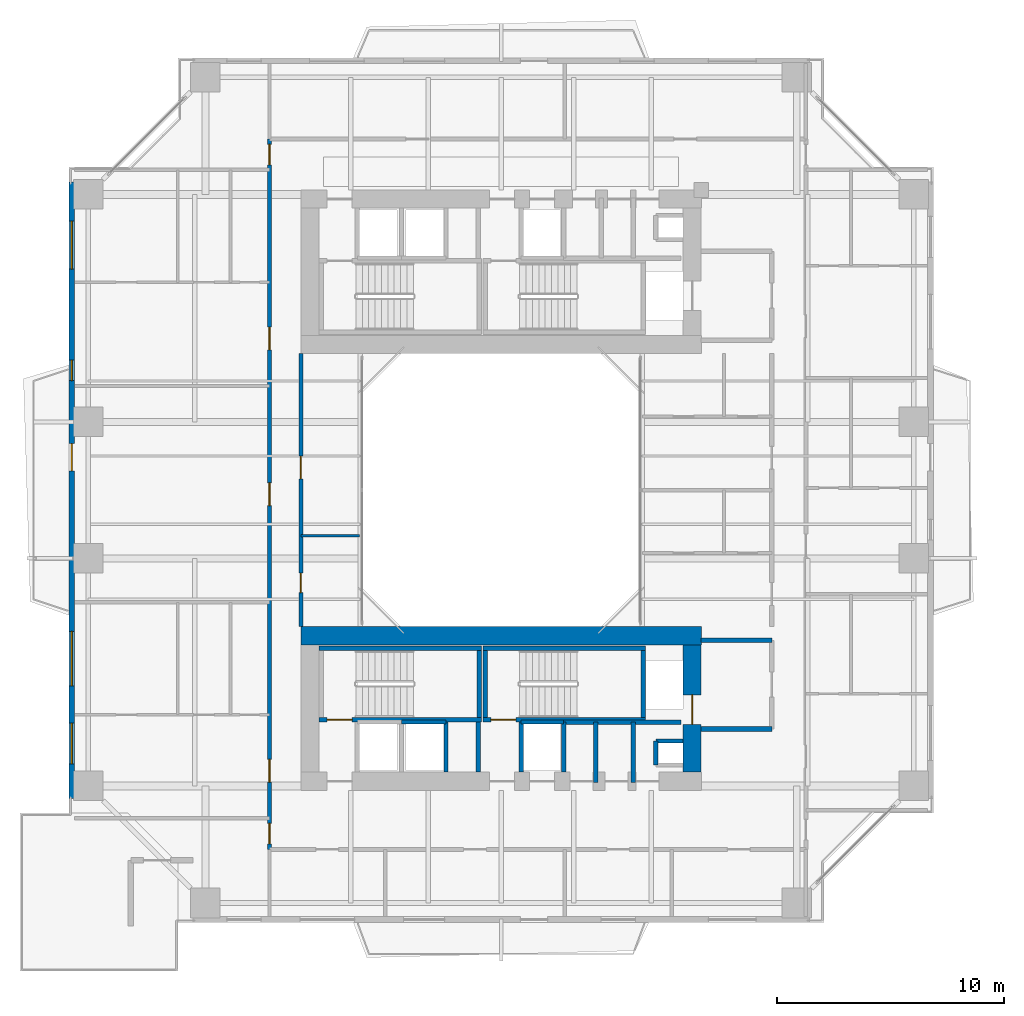
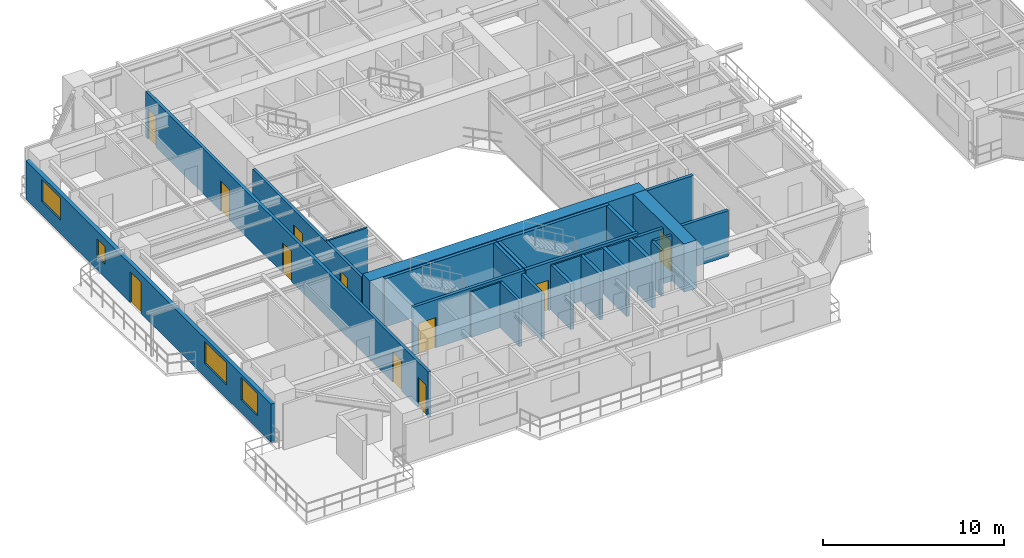
# One storey, part 12 of 22: 26 walls, 11 doors, 4 windows, 15 openings.
"""IFC4 building model written with IfcOpenShell, lengths in metres."""

from ifc_helpers import new_model, si_unit, direction, frame, frame_2d, origin, place, context, subcontext, project, spatial, rectangle, extrude, source, transform, mapped, material, layer, layer_set, type_object, element, fill, save


model = new_model("IFC4")

# Units and contexts
model_context = context("Model", 3, precision=1e-05, world=origin(), true_north=direction((0.0, 1.0)))
body_context = subcontext(model_context, "Body", "Model", "MODEL_VIEW")
ifc_project = project(units=[si_unit("LENGTHUNIT", "METRE"), si_unit("AREAUNIT", "SQUARE_METRE"), si_unit("VOLUMEUNIT", "CUBIC_METRE"), si_unit("PLANEANGLEUNIT", "RADIAN"), si_unit("MASSUNIT", "GRAM", prefix="KILO"), si_unit("THERMODYNAMICTEMPERATUREUNIT", "KELVIN"), si_unit("POWERUNIT", "WATT")], contexts=[model_context])

# Site, building, storey
site_placement = place(None, origin())
site = spatial("IfcSite", under=ifc_project, at=site_placement, CompositionType="ELEMENT")
building_placement = place(site_placement, origin())
building = spatial("IfcBuilding", under=site, at=building_placement, Name="Qiaomeng Ring Towers", CompositionType="ELEMENT")
storey_placement = place(building_placement, frame((0.0, 0.0, 53.5)))
storey = spatial("IfcBuildingStorey", under=building, at=storey_placement, Name="L14", CompositionType="ELEMENT", Elevation=53.5)

# Wall, openings, windows, door
ifc_material_1 = material(Name="Precast concrete C40", Category="concrete")
ifc_layer_1 = layer(ifc_material_1, 0.25, Name="Precast concrete C40")
ifc_layer_set_1 = layer_set([ifc_layer_1], Name="Precast concrete C40")
wall_type_1 = type_object("IfcWallType", Name="ARC-WL-EW1", PredefinedType="STANDARD", material=ifc_layer_set_1)
wall_1_placement = place(storey_placement, frame((0.125, 9.449951171875, 0.0), z_axis=(0.0, 0.0, 1.0), x_axis=(0.0, 1.0, 0.0)))
wall_1 = element("IfcWall", 1, at=wall_1_placement, inside=storey, type_object=wall_type_1, Name="L14 Tower 1 W Exterior Wall", PredefinedType="STANDARD", context=body_context, shape_type="SweptSolid", body=[
    extrude(rectangle(XDim=27.10009765625, YDim=0.25, at=frame_2d((13.550048828125, 0.0))), origin(), (0.0, 0.0, 1.0), 2.610107421875),
])
opening_1_placement = place(wall_1_placement, frame((14.39990234375, 0.0, 0.0)))
opening_1 = element("IfcOpeningElement", 2, at=opening_1_placement, cuts=wall_1, Name="Opening BD1", PredefinedType="OPENING", context=body_context, shape_type="SweptSolid", body=[
    extrude(rectangle(XDim=1.199951171875, YDim=2.10009765625, at=frame_2d((0.60009765625, 1.050048828125))), frame((0.0, 0.135009765625, 0.0), z_axis=(0.0, -1.0, 0.0), x_axis=(1.0, 0.0, 0.0)), (0.0, 0.0, 1.0), 0.27001953125),
])
opening_2_placement = place(wall_1_placement, frame((1.512451171875, 0.0, 0.89990234375)))
opening_2 = element("IfcOpeningElement", 3, at=opening_2_placement, cuts=wall_1, Name="Opening WN1", PredefinedType="OPENING", context=body_context, shape_type="SweptSolid", body=[
    extrude(rectangle(XDim=1.800048828125, YDim=1.5, at=frame_2d((0.89990234375, 0.75))), frame((0.0, 0.135009765625, 0.0), z_axis=(0.0, -1.0, 0.0), x_axis=(1.0, 0.0, 0.0)), (0.0, 0.0, 1.0), 0.27001953125),
])
opening_3_placement = place(wall_1_placement, frame((23.2724609375, 0.0, 0.89990234375)))
opening_3 = element("IfcOpeningElement", 4, at=opening_3_placement, cuts=wall_1, Name="Opening WN4", PredefinedType="OPENING", context=body_context, shape_type="SweptSolid", body=[
    extrude(rectangle(XDim=2.10009765625, YDim=1.5, at=frame_2d((1.050048828125, 0.75))), frame((0.0, 0.135009765625, 0.0), z_axis=(0.0, -1.0, 0.0), x_axis=(1.0, 0.0, 0.0)), (0.0, 0.0, 1.0), 0.27001953125),
])
opening_4_placement = place(wall_1_placement, frame((4.9423828125, 0.0, 0.89990234375)))
opening_4 = element("IfcOpeningElement", 5, at=opening_4_placement, cuts=wall_1, Name="Opening WN6", PredefinedType="OPENING", context=body_context, shape_type="SweptSolid", body=[
    extrude(rectangle(XDim=2.39990234375, YDim=1.5, at=frame_2d((1.199951171875, 0.75))), frame((0.0, 0.135009765625, 0.0), z_axis=(0.0, -1.0, 0.0), x_axis=(1.0, 0.0, 0.0)), (0.0, 0.0, 1.0), 0.27001953125),
])
opening_5_placement = place(wall_1_placement, frame((18.364990234375, 0.0, 0.89990234375)))
opening_5 = element("IfcOpeningElement", 6, at=opening_5_placement, cuts=wall_1, Name="Opening WN5", PredefinedType="OPENING", context=body_context, shape_type="SweptSolid", body=[
    extrude(rectangle(XDim=0.89990234375, YDim=1.199951171875, at=frame_2d((0.449951171875, 0.60009765625))), frame((0.0, 0.135009765625, 0.0), z_axis=(0.0, -1.0, 0.0), x_axis=(1.0, 0.0, 0.0)), (0.0, 0.0, 1.0), 0.27001953125),
])
ifc_material_2 = material(Name="Low-E dark-grey laminated double glazing", Category="glass")
window_type_1 = type_object("IfcWindowType", Name="ARC-WN-4", PartitioningType="TRIPLE_PANEL_VERTICAL", PredefinedType="WINDOW", material=ifc_material_2)
shared_shape_1 = source(origin(), body_context, "Body", "SweptSolid", [
    extrude(rectangle(XDim=2.10009765625, YDim=1.5, at=frame_2d((1.050048828125, 0.75))), frame((0.0, 0.030029296875, 0.0), z_axis=(0.0, -1.0, 0.0), x_axis=(1.0, 0.0, 0.0)), (0.0, 0.0, 1.0), 0.06005859375),
])
window_1_placement = place(opening_3_placement, origin())
window_1 = element("IfcWindow", 7, at=window_1_placement, inside=storey, type_object=window_type_1, Name="L14 Exterior Window WN4", OverallHeight=1.5, OverallWidth=2.10009765625, PartitioningType="TRIPLE_PANEL_VERTICAL", PredefinedType="WINDOW", context=body_context, shape_type="MappedRepresentation", body=[
    mapped(shared_shape_1, transform((0.0, 0.0, 0.0), x_axis=(1.0, 0.0, 0.0), y_axis=(0.0, 1.0, 0.0), z_axis=(0.0, 0.0, 1.0), scale=1.0)),
])
fill(opening_3, window_1)
door_type_1 = type_object("IfcDoorType", Name="ARC-DR-BD1", OperationType="NOTDEFINED", PredefinedType="DOOR", material=ifc_material_2)
shared_shape_2 = source(origin(), body_context, "Body", "SweptSolid", [
    extrude(rectangle(XDim=1.199951171875, YDim=2.10009765625, at=frame_2d((0.60009765625, 1.050048828125))), frame((0.0, 0.02490234375, 0.0), z_axis=(0.0, -1.0, 0.0), x_axis=(1.0, 0.0, 0.0)), (0.0, 0.0, 1.0), 0.050048828125),
])
door_1_placement = place(opening_1_placement, frame((1.199951171875, 0.0, 0.0), z_axis=(0.0, 0.0, 1.0), x_axis=(-1.0, 0.0, 0.0)))
door_1 = element("IfcDoor", 8, at=door_1_placement, inside=storey, type_object=door_type_1, Name="L14 W Balcony Glazed Door", OperationType="SINGLE_SWING_LEFT", OverallHeight=2.10009765625, OverallWidth=1.199951171875, PredefinedType="DOOR", context=body_context, shape_type="MappedRepresentation", body=[
    mapped(shared_shape_2, transform((0.0, 0.0, 0.0), x_axis=(1.0, 0.0, 0.0), y_axis=(0.0, 1.0, 0.0), z_axis=(0.0, 0.0, 1.0), scale=1.0)),
])
fill(opening_1, door_1)
window_type_2 = type_object("IfcWindowType", Name="ARC-WN-6", PartitioningType="TRIPLE_PANEL_VERTICAL", PredefinedType="WINDOW", material=ifc_material_2)
shared_shape_3 = source(origin(), body_context, "Body", "SweptSolid", [
    extrude(rectangle(XDim=2.39990234375, YDim=1.5, at=frame_2d((1.199951171875, 0.75))), frame((0.0, 0.030029296875, 0.0), z_axis=(0.0, -1.0, 0.0), x_axis=(1.0, 0.0, 0.0)), (0.0, 0.0, 1.0), 0.06005859375),
])
window_2_placement = place(opening_4_placement, origin())
window_2 = element("IfcWindow", 9, at=window_2_placement, inside=storey, type_object=window_type_2, Name="L14 Exterior Window WN6", OverallHeight=1.5, OverallWidth=2.39990234375, PartitioningType="TRIPLE_PANEL_VERTICAL", PredefinedType="WINDOW", context=body_context, shape_type="MappedRepresentation", body=[
    mapped(shared_shape_3, transform((0.0, 0.0, 0.0), x_axis=(1.0, 0.0, 0.0), y_axis=(0.0, 1.0, 0.0), z_axis=(0.0, 0.0, 1.0), scale=1.0)),
])
fill(opening_4, window_2)
window_type_3 = type_object("IfcWindowType", Name="ARC-WN-1", PartitioningType="DOUBLE_PANEL_VERTICAL", PredefinedType="WINDOW", material=ifc_material_2)
shared_shape_4 = source(origin(), body_context, "Body", "SweptSolid", [
    extrude(rectangle(XDim=1.800048828125, YDim=1.5, at=frame_2d((0.89990234375, 0.75))), frame((0.0, 0.030029296875, 0.0), z_axis=(0.0, -1.0, 0.0), x_axis=(1.0, 0.0, 0.0)), (0.0, 0.0, 1.0), 0.06005859375),
])
window_3_placement = place(opening_2_placement, origin())
window_3 = element("IfcWindow", 10, at=window_3_placement, inside=storey, type_object=window_type_3, Name="L14 Exterior Window WN6", OverallHeight=1.5, OverallWidth=1.800048828125, PartitioningType="TRIPLE_PANEL_VERTICAL", PredefinedType="WINDOW", context=body_context, shape_type="MappedRepresentation", body=[
    mapped(shared_shape_4, transform((0.0, 0.0, 0.0), x_axis=(1.0, 0.0, 0.0), y_axis=(0.0, 1.0, 0.0), z_axis=(0.0, 0.0, 1.0), scale=1.0)),
])
fill(opening_2, window_3)
window_type_4 = type_object("IfcWindowType", Name="ARC-WN-5", PartitioningType="SINGLE_PANEL", PredefinedType="WINDOW", material=ifc_material_2)
shared_shape_5 = source(origin(), body_context, "Body", "SweptSolid", [
    extrude(rectangle(XDim=0.89990234375, YDim=1.199951171875, at=frame_2d((0.449951171875, 0.60009765625))), frame((0.0, 0.030029296875, 0.0), z_axis=(0.0, -1.0, 0.0), x_axis=(1.0, 0.0, 0.0)), (0.0, 0.0, 1.0), 0.06005859375),
])
window_4_placement = place(opening_5_placement, origin())
window_4 = element("IfcWindow", 11, at=window_4_placement, inside=storey, type_object=window_type_4, Name="L14 Exterior Window WN5", OverallHeight=1.199951171875, OverallWidth=0.89990234375, PartitioningType="SINGLE_PANEL", PredefinedType="WINDOW", context=body_context, shape_type="MappedRepresentation", body=[
    mapped(shared_shape_5, transform((0.0, 0.0, 0.0), x_axis=(1.0, 0.0, 0.0), y_axis=(0.0, 1.0, 0.0), z_axis=(0.0, 0.0, 1.0), scale=1.0)),
])
fill(opening_5, window_4)

# Walls
ifc_material_3 = material(Name="Autoclaved aerated concrete block", Category="concrete")
ifc_layer_2 = layer(ifc_material_3, 0.199951171875, Name="Autoclaved aerated concrete block")
ifc_layer_set_2 = layer_set([ifc_layer_2], Name="Autoclaved aerated concrete block")
wall_type_2 = type_object("IfcWallType", Name="ARC-WL-PW1", PredefinedType="PARTITIONING", material=ifc_layer_set_2)
for number, where, z_axis, x_axis, name in (
    (12, (27.800048828125, 16.39990234375, 0.0), (0.0, 0.0, 1.0), (1.0, 0.0, 0.0), "L14 Interior Wall PW1"),
    (13, (27.800048828125, 12.5, 0.0), (0.0, 0.0, 1.0), (1.0, 0.0, 0.0), "L14 Interior Wall PW1"),
):
    element("IfcWall", number, at=place(storey_placement, frame(where, z_axis=z_axis, x_axis=x_axis)), inside=storey, type_object=wall_type_2, Name=name, PredefinedType="PARTITIONING", context=body_context, shape_type="SweptSolid", body=[
        extrude(rectangle(XDim=3.099853515625, YDim=0.199951171875, at=frame_2d((1.5498046875, 0.0))), origin(), (0.0, 0.0, 1.0), 3.070068359375),
    ])
for number, where, z_axis, x_axis, name in (
    (14, (18.0, 10.60009765625, 0.0), (0.0, 0.0, 1.0), (0.0, 1.0, 0.0), "L14 Interior Wall PW1"),
    (15, (19.8798828125, 10.60009765625, 0.0), (0.0, 0.0, 1.0), (0.0, 1.0, 0.0), "L14 Interior Wall PW1"),
):
    element("IfcWall", number, at=place(storey_placement, frame(where, z_axis=z_axis, x_axis=x_axis)), inside=storey, type_object=wall_type_2, Name=name, PredefinedType="PARTITIONING", context=body_context, shape_type="SweptSolid", body=[
        extrude(rectangle(XDim=2.2099609375, YDim=0.199951171875, at=frame_2d((1.10498046875, 0.0))), origin(), (0.0, 0.0, 1.0), 3.070068359375),
    ])
wall_2_placement = place(storey_placement, frame((24.820068359375, 10.14990234375, 0.0), z_axis=(0.0, 0.0, 1.0), x_axis=(0.0, 1.0, 0.0)))
element("IfcWall", 16, at=wall_2_placement, inside=storey, type_object=wall_type_2, Name="L14 Interior Wall PW1", PredefinedType="PARTITIONING", context=body_context, shape_type="SweptSolid", body=[
    extrude(rectangle(XDim=2.650146484375, YDim=0.199951171875, at=frame_2d((1.3251953125, 0.0))), origin(), (0.0, 0.0, 1.0), 3.070068359375),
])
wall_3_placement = place(storey_placement, frame((21.75, 10.60009765625, 0.0), z_axis=(0.0, 0.0, 1.0), x_axis=(0.0, 1.0, 0.0)))
element("IfcWall", 17, at=wall_3_placement, inside=storey, type_object=wall_type_2, Name="L14 Interior Wall PW1", PredefinedType="PARTITIONING", context=body_context, shape_type="SweptSolid", body=[
    extrude(rectangle(XDim=2.199951171875, YDim=0.199951171875, at=frame_2d((1.10009765625, 0.0))), origin(), (0.0, 0.0, 1.0), 3.070068359375),
])
wall_4_placement = place(storey_placement, frame((23.169921875, 10.14990234375, 0.0), z_axis=(0.0, 0.0, 1.0), x_axis=(0.0, 1.0, 0.0)))
element("IfcWall", 18, at=wall_4_placement, inside=storey, type_object=wall_type_2, Name="L14 Interior Wall PW1", PredefinedType="PARTITIONING", context=body_context, shape_type="SweptSolid", body=[
    extrude(rectangle(XDim=2.650146484375, YDim=0.199951171875, at=frame_2d((1.3251953125, 0.0))), origin(), (0.0, 0.0, 1.0), 3.070068359375),
])
wall_5_placement = place(storey_placement, frame((21.75, 12.800048828125, 0.0), z_axis=(0.0, 0.0, 1.0), x_axis=(1.0, 0.0, 0.0)))
element("IfcWall", 19, at=wall_5_placement, inside=storey, type_object=wall_type_2, Name="L14 Interior Wall PW1", PredefinedType="PARTITIONING", context=body_context, shape_type="SweptSolid", body=[
    extrude(rectangle(XDim=5.169921875, YDim=0.199951171875, at=frame_2d((2.5849609375, 0.0))), origin(), (0.0, 0.0, 1.0), 3.070068359375),
])

# Wall, openings, doors
ifc_layer_3 = layer(ifc_material_3, 0.179931640625, Name="Autoclaved aerated concrete block")
ifc_layer_set_3 = layer_set([ifc_layer_3], Name="Autoclaved aerated concrete block")
wall_type_3 = type_object("IfcWallType", Name="ARC-WL-PW2", PredefinedType="PARTITIONING", material=ifc_layer_set_3)
wall_6_placement = place(storey_placement, frame((8.820068359375, 7.2099609375, 0.0), z_axis=(0.0, 0.0, 1.0), x_axis=(0.0, 1.0, 0.0)))
wall_6 = element("IfcWall", 20, at=wall_6_placement, inside=storey, type_object=wall_type_3, Name="L14 Interior Wall PW2", PredefinedType="PARTITIONING", context=body_context, shape_type="SweptSolid", body=[
    extrude(rectangle(XDim=31.22998046875, YDim=0.179931640625, at=frame_2d((15.614990234375, 0.0))), origin(), (0.0, 0.0, 1.0), 3.070068359375),
])
opening_6_placement = place(wall_6_placement, frame((30.090087890625, 0.0, 0.0)))
opening_6 = element("IfcOpeningElement", 21, at=opening_6_placement, cuts=wall_6, Name="Opening ID1", PredefinedType="OPENING", context=body_context, shape_type="SweptSolid", body=[
    extrude(rectangle(XDim=0.89990234375, YDim=2.050048828125, at=frame_2d((0.449951171875, 1.02490234375))), frame((0.0, 0.099853515625, 0.0), z_axis=(0.0, -1.0, 0.0), x_axis=(1.0, 0.0, 0.0)), (0.0, 0.0, 1.0), 0.199951171875),
])
opening_7_placement = place(wall_6_placement, frame((0.239990234375, 0.0, 0.0)))
opening_7 = element("IfcOpeningElement", 22, at=opening_7_placement, cuts=wall_6, Name="Opening ID1", PredefinedType="OPENING", context=body_context, shape_type="SweptSolid", body=[
    extrude(rectangle(XDim=0.89990234375, YDim=2.050048828125, at=frame_2d((0.449951171875, 1.02490234375))), frame((0.0, 0.099853515625, 0.0), z_axis=(0.0, -1.0, 0.0), x_axis=(1.0, 0.0, 0.0)), (0.0, 0.0, 1.0), 0.199951171875),
])
opening_8_placement = place(wall_6_placement, frame((2.949951171875, 0.0, 0.0)))
opening_8 = element("IfcOpeningElement", 23, at=opening_8_placement, cuts=wall_6, Name="Opening FD4", PredefinedType="OPENING", context=body_context, shape_type="SweptSolid", body=[
    extrude(rectangle(XDim=1.0, YDim=2.050048828125, at=frame_2d((0.5, 1.02490234375))), frame((0.0, 0.099853515625, 0.0), z_axis=(0.0, -1.0, 0.0), x_axis=(1.0, 0.0, 0.0)), (0.0, 0.0, 1.0), 0.199951171875),
])
opening_9_placement = place(wall_6_placement, frame((15.114990234375, 0.0, 0.0)))
opening_9 = element("IfcOpeningElement", 24, at=opening_9_placement, cuts=wall_6, Name="Opening FD4", PredefinedType="OPENING", context=body_context, shape_type="SweptSolid", body=[
    extrude(rectangle(XDim=1.0, YDim=2.050048828125, at=frame_2d((0.5, 1.02490234375))), frame((0.0, 0.099853515625, 0.0), z_axis=(0.0, -1.0, 0.0), x_axis=(1.0, 0.0, 0.0)), (0.0, 0.0, 1.0), 0.199951171875),
])
opening_10_placement = place(wall_6_placement, frame((21.9599609375, 0.0, 0.0)))
opening_10 = element("IfcOpeningElement", 25, at=opening_10_placement, cuts=wall_6, Name="Opening FD4", PredefinedType="OPENING", context=body_context, shape_type="SweptSolid", body=[
    extrude(rectangle(XDim=1.0, YDim=2.050048828125, at=frame_2d((0.5, 1.02490234375))), frame((0.0, 0.099853515625, 0.0), z_axis=(0.0, -1.0, 0.0), x_axis=(1.0, 0.0, 0.0)), (0.0, 0.0, 1.0), 0.199951171875),
])
ifc_material_4 = material(Name="Engineered fire-rated oak timber", Category="wood")
door_type_2 = type_object("IfcDoorType", Name="ARC-DR-FD4", OperationType="NOTDEFINED", PredefinedType="DOOR", material=ifc_material_4)
shared_shape_6 = source(origin(), body_context, "Body", "SweptSolid", [
    extrude(rectangle(XDim=1.0, YDim=2.050048828125, at=frame_2d((0.5, 1.02490234375))), frame((0.0, 0.02490234375, 0.0), z_axis=(0.0, -1.0, 0.0), x_axis=(1.0, 0.0, 0.0)), (0.0, 0.0, 1.0), 0.050048828125),
])
door_2_placement = place(opening_8_placement, origin())
door_2 = element("IfcDoor", 26, at=door_2_placement, inside=storey, type_object=door_type_2, Name="L14 Door FD4", OperationType="SINGLE_SWING_RIGHT", OverallHeight=2.050048828125, OverallWidth=1.0, PredefinedType="DOOR", context=body_context, shape_type="MappedRepresentation", body=[
    mapped(shared_shape_6, transform((0.0, 0.0, 0.0), x_axis=(1.0, 0.0, 0.0), y_axis=(0.0, 1.0, 0.0), z_axis=(0.0, 0.0, 1.0), scale=1.0)),
])
fill(opening_8, door_2)
door_3_placement = place(opening_9_placement, origin())
door_3 = element("IfcDoor", 27, at=door_3_placement, inside=storey, type_object=door_type_2, Name="L14 Door FD4", OperationType="SINGLE_SWING_LEFT", OverallHeight=2.050048828125, OverallWidth=1.0, PredefinedType="DOOR", context=body_context, shape_type="MappedRepresentation", body=[
    mapped(shared_shape_6, transform((0.0, 0.0, 0.0), x_axis=(1.0, 0.0, 0.0), y_axis=(0.0, 1.0, 0.0), z_axis=(0.0, 0.0, 1.0), scale=1.0)),
])
fill(opening_9, door_3)
door_4_placement = place(opening_10_placement, origin())
door_4 = element("IfcDoor", 28, at=door_4_placement, inside=storey, type_object=door_type_2, Name="L14 Door FD4", OperationType="SINGLE_SWING_LEFT", OverallHeight=2.050048828125, OverallWidth=1.0, PredefinedType="DOOR", context=body_context, shape_type="MappedRepresentation", body=[
    mapped(shared_shape_6, transform((0.0, 0.0, 0.0), x_axis=(1.0, 0.0, 0.0), y_axis=(0.0, 1.0, 0.0), z_axis=(0.0, 0.0, 1.0), scale=1.0)),
])
fill(opening_10, door_4)
ifc_material_5 = material(Name="Engineered oak timber", Category="wood")
door_type_3 = type_object("IfcDoorType", Name="ARC-DR-ID1", OperationType="NOTDEFINED", PredefinedType="DOOR", material=ifc_material_5)
shared_shape_7 = source(origin(), body_context, "Body", "SweptSolid", [
    extrude(rectangle(XDim=0.89990234375, YDim=2.050048828125, at=frame_2d((0.449951171875, 1.02490234375))), frame((0.0, 0.02490234375, 0.0), z_axis=(0.0, -1.0, 0.0), x_axis=(1.0, 0.0, 0.0)), (0.0, 0.0, 1.0), 0.050048828125),
])
door_5_placement = place(opening_6_placement, origin())
door_5 = element("IfcDoor", 29, at=door_5_placement, inside=storey, type_object=door_type_3, Name="L14 Door ID1", OperationType="SINGLE_SWING_LEFT", OverallHeight=2.050048828125, OverallWidth=0.89990234375, PredefinedType="DOOR", context=body_context, shape_type="MappedRepresentation", body=[
    mapped(shared_shape_7, transform((0.0, 0.0, 0.0), x_axis=(1.0, 0.0, 0.0), y_axis=(0.0, 1.0, 0.0), z_axis=(0.0, 0.0, 1.0), scale=1.0)),
])
fill(opening_6, door_5)
door_6_placement = place(opening_7_placement, origin())
door_6 = element("IfcDoor", 30, at=door_6_placement, inside=storey, type_object=door_type_3, Name="L14 Door ID1", OperationType="SINGLE_SWING_RIGHT", OverallHeight=2.050048828125, OverallWidth=0.89990234375, PredefinedType="DOOR", context=body_context, shape_type="MappedRepresentation", body=[
    mapped(shared_shape_7, transform((0.0, 0.0, 0.0), x_axis=(1.0, 0.0, 0.0), y_axis=(0.0, 1.0, 0.0), z_axis=(0.0, 0.0, 1.0), scale=1.0)),
])
fill(opening_7, door_6)

wall_7_placement = place(storey_placement, frame((10.199951171875, 17.0, 0.0), z_axis=(0.0, 0.0, 1.0), x_axis=(0.0, 1.0, 0.0)))
wall_7 = element("IfcWall", 31, at=wall_7_placement, inside=storey, type_object=wall_type_3, Name="L14 Interior Wall PW2", PredefinedType="PARTITIONING", context=body_context, shape_type="SweptSolid", body=[
    extrude(rectangle(XDim=12.0, YDim=0.179931640625, at=frame_2d((6.0, 0.0))), origin(), (0.0, 0.0, 1.0), 3.070068359375),
])
opening_11_placement = place(wall_7_placement, frame((1.5, 0.0, 0.0)))
opening_11 = element("IfcOpeningElement", 32, at=opening_11_placement, cuts=wall_7, Name="Opening ID2", PredefinedType="OPENING", context=body_context, shape_type="SweptSolid", body=[
    extrude(rectangle(XDim=0.85009765625, YDim=2.050048828125, at=frame_2d((0.425048828125, 1.02490234375))), frame((0.0, 0.099853515625, 0.0), z_axis=(0.0, -1.0, 0.0), x_axis=(1.0, 0.0, 0.0)), (0.0, 0.0, 1.0), 0.199951171875),
])
opening_12_placement = place(wall_7_placement, frame((6.5, 0.0, 0.0)))
opening_12 = element("IfcOpeningElement", 33, at=opening_12_placement, cuts=wall_7, Name="Opening FD4", PredefinedType="OPENING", context=body_context, shape_type="SweptSolid", body=[
    extrude(rectangle(XDim=1.0, YDim=2.050048828125, at=frame_2d((0.5, 1.02490234375))), frame((0.0, 0.099853515625, 0.0), z_axis=(0.0, -1.0, 0.0), x_axis=(1.0, 0.0, 0.0)), (0.0, 0.0, 1.0), 0.199951171875),
])
door_7_placement = place(opening_12_placement, origin())
door_7 = element("IfcDoor", 34, at=door_7_placement, inside=storey, type_object=door_type_2, Name="L14 Door FD4", OperationType="SINGLE_SWING_LEFT", OverallHeight=2.050048828125, OverallWidth=1.0, PredefinedType="DOOR", context=body_context, shape_type="MappedRepresentation", body=[
    mapped(shared_shape_6, transform((0.0, 0.0, 0.0), x_axis=(1.0, 0.0, 0.0), y_axis=(0.0, 1.0, 0.0), z_axis=(0.0, 0.0, 1.0), scale=1.0)),
])
fill(opening_12, door_7)
ifc_material_6 = material(Name="Moisture-resistant engineered timber", Category="wood")
door_type_4 = type_object("IfcDoorType", Name="ARC-DR-ID2", OperationType="NOTDEFINED", PredefinedType="DOOR", material=ifc_material_6)
shared_shape_8 = source(origin(), body_context, "Body", "SweptSolid", [
    extrude(rectangle(XDim=0.85009765625, YDim=2.050048828125, at=frame_2d((0.425048828125, 1.02490234375))), frame((0.0, 0.02490234375, 0.0), z_axis=(0.0, -1.0, 0.0), x_axis=(1.0, 0.0, 0.0)), (0.0, 0.0, 1.0), 0.050048828125),
])
door_8_placement = place(opening_11_placement, origin())
door_8 = element("IfcDoor", 35, at=door_8_placement, inside=storey, type_object=door_type_4, Name="L14 Door ID2", OperationType="SINGLE_SWING_RIGHT", OverallHeight=2.050048828125, OverallWidth=0.85009765625, PredefinedType="DOOR", context=body_context, shape_type="MappedRepresentation", body=[
    mapped(shared_shape_8, transform((0.0, 0.0, 0.0), x_axis=(1.0, 0.0, 0.0), y_axis=(0.0, 1.0, 0.0), z_axis=(0.0, 0.0, 1.0), scale=1.0)),
])
fill(opening_11, door_8)

# Walls
ifc_material_7 = material(Name="Moisture-resistant gypsum steel-stud partition", Category="steel")
ifc_layer_4 = layer(ifc_material_7, 0.1201171875, Name="Moisture-resistant gypsum steel-stud partition")
ifc_layer_set_4 = layer_set([ifc_layer_4], Name="Moisture-resistant gypsum steel-stud partition")
wall_type_4 = type_object("IfcWallType", Name="ARC-WL-PW4", PredefinedType="PLUMBINGWALL", material=ifc_layer_set_4)
wall_8_placement = place(storey_placement, frame((10.199951171875, 21.0, 0.0), z_axis=(0.0, 0.0, 1.0), x_axis=(1.0, 0.0, 0.0)))
element("IfcWall", 36, at=wall_8_placement, inside=storey, type_object=wall_type_4, Name="L14 Interior Wall PW4", PredefinedType="PLUMBINGWALL", context=body_context, shape_type="SweptSolid", body=[
    extrude(rectangle(XDim=2.580078125, YDim=0.1201171875, at=frame_2d((1.2900390625, 0.0))), origin(), (0.0, 0.0, 1.0), 3.070068359375),
])
ifc_material_8 = material(Name="Concrete C40", Category="concrete")
ifc_layer_5 = layer(ifc_material_8, 0.199951171875, Name="Concrete C40")
ifc_layer_set_5 = layer_set([ifc_layer_5], Name="Concrete C40")
wall_type_5 = type_object("IfcWallType", Name="STR-WL-STSHAFT", PredefinedType="SHEAR", material=ifc_layer_set_5)
wall_9_placement = place(storey_placement, frame((25.800048828125, 10.919921875, 0.0), z_axis=(0.0, 0.0, 1.0), x_axis=(0.0, 1.0, 0.0)))
element("IfcWall", 37, at=wall_9_placement, inside=storey, type_object=wall_type_5, Name="L14 Riser RSR1 West Shaft Wall S", PredefinedType="SHEAR", context=body_context, shape_type="SweptSolid", body=[
    extrude(rectangle(XDim=1.06005859375, YDim=0.179931640625, at=frame_2d((0.530029296875, 0.0))), origin(), (0.0, 0.0, 1.0), 3.070068359375),
])
wall_10_placement = place(storey_placement, frame((25.800048828125, 11.97998046875, 0.0), z_axis=(0.0, 0.0, 1.0), x_axis=(1.0, 0.0, 0.0)))
element("IfcWall", 38, at=wall_10_placement, inside=storey, type_object=wall_type_5, Name="L14 Riser RSR1 North Shaft Wall S", PredefinedType="SHEAR", context=body_context, shape_type="SweptSolid", body=[
    extrude(rectangle(XDim=1.199951171875, YDim=0.179931640625, at=frame_2d((0.60009765625, 0.0))), origin(), (0.0, 0.0, 1.0), 3.070068359375),
])
wall_11_placement = place(storey_placement, frame((14.6201171875, 12.800048828125, 0.0), z_axis=(0.0, 0.0, 1.0), x_axis=(1.0, 0.0, 0.0)))
element("IfcWall", 39, at=wall_11_placement, inside=storey, type_object=wall_type_5, Name="L14 Lift LP4 Shaft Back Wall", PredefinedType="SHEAR", context=body_context, shape_type="SweptSolid", body=[
    extrude(rectangle(XDim=1.9599609375, YDim=0.179931640625, at=frame_2d((0.97998046875, 0.0))), origin(), (0.0, 0.0, 1.0), 3.070068359375),
])
wall_12_placement = place(storey_placement, frame((16.580078125, 10.60009765625, 0.0), z_axis=(0.0, 0.0, 1.0), x_axis=(0.0, 1.0, 0.0)))
element("IfcWall", 40, at=wall_12_placement, inside=storey, type_object=wall_type_5, Name="L14 Lift LP4 East Shaft Wall", PredefinedType="SHEAR", context=body_context, shape_type="SweptSolid", body=[
    extrude(rectangle(XDim=2.199951171875, YDim=0.179931640625, at=frame_2d((1.10009765625, 0.0))), origin(), (0.0, 0.0, 1.0), 3.070068359375),
])
wall_13_placement = place(storey_placement, frame((19.8798828125, 12.800048828125, 0.0), z_axis=(0.0, 0.0, 1.0), x_axis=(1.0, 0.0, 0.0)))
element("IfcWall", 41, at=wall_13_placement, inside=storey, type_object=wall_type_5, Name="L14 Lift LP2 Shaft Back Wall", PredefinedType="SHEAR", context=body_context, shape_type="SweptSolid", body=[
    extrude(rectangle(XDim=1.8701171875, YDim=0.179931640625, at=frame_2d((0.93505859375, 0.0))), origin(), (0.0, 0.0, 1.0), 3.070068359375),
])

# Wall, opening, door
wall_14_placement = place(storey_placement, frame((11.0, 12.909912109375, 0.0), z_axis=(0.0, 0.0, 1.0), x_axis=(1.0, 0.0, 0.0)))
wall_14 = element("IfcWall", 42, at=wall_14_placement, inside=storey, type_object=wall_type_5, Name="L14 Stair ST3 South Shaft Shear Wall", PredefinedType="SHEAR", context=body_context, shape_type="SweptSolid", body=[
    extrude(rectangle(XDim=7.14990234375, YDim=0.199951171875, at=frame_2d((3.574951171875, 0.0))), origin(), (0.0, 0.0, 1.0), 3.25),
])
opening_13_placement = place(wall_14_placement, frame((0.35009765625, 0.0, 0.0)))
opening_13 = element("IfcOpeningElement", 43, at=opening_13_placement, cuts=wall_14, Name="Opening FD3", PredefinedType="OPENING", context=body_context, shape_type="SweptSolid", body=[
    extrude(rectangle(XDim=1.10009765625, YDim=2.050048828125, at=frame_2d((0.550048828125, 1.02490234375))), frame((0.0, 0.10986328125, 0.0), z_axis=(0.0, -1.0, 0.0), x_axis=(1.0, 0.0, 0.0)), (0.0, 0.0, 1.0), 0.219970703125),
])
ifc_material_9 = material(Name="Galvanised steel", Category="steel")
door_type_5 = type_object("IfcDoorType", Name="ARC-DR-FD3", OperationType="NOTDEFINED", PredefinedType="DOOR", material=ifc_material_9)
shared_shape_9 = source(origin(), body_context, "Body", "SweptSolid", [
    extrude(rectangle(XDim=1.10009765625, YDim=2.050048828125, at=frame_2d((0.550048828125, 1.02490234375))), frame((0.0, 0.02490234375, 0.0), z_axis=(0.0, -1.0, 0.0), x_axis=(1.0, 0.0, 0.0)), (0.0, 0.0, 1.0), 0.050048828125),
])
door_9_placement = place(opening_13_placement, frame((1.10009765625, 0.0, 0.0), z_axis=(0.0, 0.0, 1.0), x_axis=(-1.0, 0.0, 0.0)))
door_9 = element("IfcDoor", 44, at=door_9_placement, inside=storey, type_object=door_type_5, Name="L14 Stair ST3 Exit Door", OperationType="SINGLE_SWING_RIGHT", OverallHeight=2.050048828125, OverallWidth=1.10009765625, PredefinedType="DOOR", context=body_context, shape_type="MappedRepresentation", body=[
    mapped(shared_shape_9, transform((0.0, 0.0, 0.0), x_axis=(1.0, 0.0, 0.0), y_axis=(0.0, 1.0, 0.0), z_axis=(0.0, 0.0, 1.0), scale=1.0)),
])
fill(opening_13, door_9)

# Walls
wall_15_placement = place(storey_placement, frame((11.0, 16.050048828125, 0.0), z_axis=(0.0, 0.0, 1.0), x_axis=(1.0, 0.0, 0.0)))
element("IfcWall", 45, at=wall_15_placement, inside=storey, type_object=wall_type_5, Name="L14 Stair ST3 North Shaft Shear Wall", PredefinedType="SHEAR", context=body_context, shape_type="SweptSolid", body=[
    extrude(rectangle(XDim=7.14990234375, YDim=0.199951171875, at=frame_2d((3.574951171875, 0.0))), origin(), (0.0, 0.0, 1.0), 3.25),
])
wall_16_placement = place(storey_placement, frame((18.050048828125, 13.010009765625, 0.0), z_axis=(0.0, 0.0, 1.0), x_axis=(0.0, 1.0, 0.0)))
element("IfcWall", 46, at=wall_16_placement, inside=storey, type_object=wall_type_5, Name="L14 Stair ST3 East Shaft Shear Wall", PredefinedType="SHEAR", context=body_context, shape_type="SweptSolid", body=[
    extrude(rectangle(XDim=2.93994140625, YDim=0.199951171875, at=frame_2d((1.469970703125, 0.0))), origin(), (0.0, 0.0, 1.0), 3.25),
])

# Wall, opening, door
wall_17_placement = place(storey_placement, frame((18.199951171875, 12.909912109375, 0.0), z_axis=(0.0, 0.0, 1.0), x_axis=(1.0, 0.0, 0.0)))
wall_17 = element("IfcWall", 47, at=wall_17_placement, inside=storey, type_object=wall_type_5, Name="L14 Stair ST4 South Shaft Shear Wall", PredefinedType="SHEAR", context=body_context, shape_type="SweptSolid", body=[
    extrude(rectangle(XDim=7.150146484375, YDim=0.199951171875, at=frame_2d((3.5751953125, 0.0))), origin(), (0.0, 0.0, 1.0), 3.25),
])
opening_14_placement = place(wall_17_placement, frame((0.35009765625, 0.0, 0.0)))
opening_14 = element("IfcOpeningElement", 48, at=opening_14_placement, cuts=wall_17, Name="Opening FD3", PredefinedType="OPENING", context=body_context, shape_type="SweptSolid", body=[
    extrude(rectangle(XDim=1.10009765625, YDim=2.050048828125, at=frame_2d((0.550048828125, 1.02490234375))), frame((0.0, 0.10986328125, 0.0), z_axis=(0.0, -1.0, 0.0), x_axis=(1.0, 0.0, 0.0)), (0.0, 0.0, 1.0), 0.219970703125),
])
door_10_placement = place(opening_14_placement, frame((1.10009765625, 0.0, 0.0), z_axis=(0.0, 0.0, 1.0), x_axis=(-1.0, 0.0, 0.0)))
door_10 = element("IfcDoor", 49, at=door_10_placement, inside=storey, type_object=door_type_5, Name="L14 Stair ST4 Exit Door", OperationType="SINGLE_SWING_RIGHT", OverallHeight=2.050048828125, OverallWidth=1.10009765625, PredefinedType="DOOR", context=body_context, shape_type="MappedRepresentation", body=[
    mapped(shared_shape_9, transform((0.0, 0.0, 0.0), x_axis=(1.0, 0.0, 0.0), y_axis=(0.0, 1.0, 0.0), z_axis=(0.0, 0.0, 1.0), scale=1.0)),
])
fill(opening_14, door_10)

# Walls
wall_18_placement = place(storey_placement, frame((18.199951171875, 16.050048828125, 0.0), z_axis=(0.0, 0.0, 1.0), x_axis=(1.0, 0.0, 0.0)))
element("IfcWall", 50, at=wall_18_placement, inside=storey, type_object=wall_type_5, Name="L14 Stair ST4 North Shaft Shear Wall", PredefinedType="SHEAR", context=body_context, shape_type="SweptSolid", body=[
    extrude(rectangle(XDim=7.150146484375, YDim=0.199951171875, at=frame_2d((3.5751953125, 0.0))), origin(), (0.0, 0.0, 1.0), 3.25),
])
for number, where, z_axis, x_axis, name in (
    (51, (18.300048828125, 13.010009765625, 0.0), (0.0, 0.0, 1.0), (0.0, 1.0, 0.0), "L14 Stair ST4 West Shaft Shear Wall"),
    (52, (25.25, 13.010009765625, 0.0), (0.0, 0.0, 1.0), (0.0, 1.0, 0.0), "L14 Stair ST4 East Shaft Shear Wall"),
):
    element("IfcWall", number, at=place(storey_placement, frame(where, z_axis=z_axis, x_axis=x_axis)), inside=storey, type_object=wall_type_5, Name=name, PredefinedType="SHEAR", context=body_context, shape_type="SweptSolid", body=[
        extrude(rectangle(XDim=2.93994140625, YDim=0.199951171875, at=frame_2d((1.469970703125, 0.0))), origin(), (0.0, 0.0, 1.0), 3.25),
    ])
ifc_material_10 = material(Name="Concrete C60", Category="concrete")
ifc_layer_6 = layer(ifc_material_10, 0.800048828125, Name="Concrete C60")
ifc_layer_set_6 = layer_set([ifc_layer_6], Name="Concrete C60")
wall_type_6 = type_object("IfcWallType", Name="STR-WL-SW1", PredefinedType="SHEAR", material=ifc_layer_set_6)
wall_19_placement = place(storey_placement, frame((10.199951171875, 16.60009765625, 0.0), z_axis=(0.0, 0.0, 1.0), x_axis=(1.0, 0.0, 0.0)))
element("IfcWall", 53, at=wall_19_placement, inside=storey, type_object=wall_type_6, Name="L14 T1SC north core shear wall", PredefinedType="SHEAR", context=body_context, shape_type="SweptSolid", body=[
    extrude(rectangle(XDim=17.60009765625, YDim=0.800048828125, at=frame_2d((8.800048828125, 0.0))), origin(), (0.0, 0.0, 1.0), 3.25),
])

# Wall, opening, door
wall_20_placement = place(storey_placement, frame((27.39990234375, 10.60009765625, 0.0), z_axis=(0.0, 0.0, 1.0), x_axis=(0.0, 1.0, 0.0)))
wall_20 = element("IfcWall", 54, at=wall_20_placement, inside=storey, type_object=wall_type_6, Name="L14 T1SC east core shear wall", PredefinedType="SHEAR", context=body_context, shape_type="SweptSolid", body=[
    extrude(rectangle(XDim=5.599853515625, YDim=0.800048828125, at=frame_2d((2.7998046875, 0.0))), origin(), (0.0, 0.0, 1.0), 3.25),
])
opening_15_placement = place(wall_20_placement, frame((2.10009765625, 0.0, 0.0)))
opening_15 = element("IfcOpeningElement", 55, at=opening_15_placement, cuts=wall_20, Name="Opening LD2", PredefinedType="OPENING", context=body_context, shape_type="SweptSolid", body=[
    extrude(rectangle(XDim=1.300048828125, YDim=2.050048828125, at=frame_2d((0.64990234375, 1.02490234375))), frame((0.0, 0.409912109375, 0.0), z_axis=(0.0, -1.0, 0.0), x_axis=(1.0, 0.0, 0.0)), (0.0, 0.0, 1.0), 0.820068359375),
])
ifc_material_11 = material(Name="Stainless steel 316", Category="steel")
door_type_6 = type_object("IfcDoorType", Name="ARC-DR-LD2", OperationType="NOTDEFINED", PredefinedType="DOOR", material=ifc_material_11)
shared_shape_10 = source(origin(), body_context, "Body", "SweptSolid", [
    extrude(rectangle(XDim=1.300048828125, YDim=2.050048828125, at=frame_2d((0.64990234375, 1.02490234375))), frame((0.0, 0.02490234375, 0.0), z_axis=(0.0, -1.0, 0.0), x_axis=(1.0, 0.0, 0.0)), (0.0, 0.0, 1.0), 0.050048828125),
])
door_11_placement = place(opening_15_placement, origin())
door_11 = element("IfcDoor", 56, at=door_11_placement, inside=storey, type_object=door_type_6, Name="L14 Firefighting Lift FL2 Landing Door", OperationType="SLIDING_TO_RIGHT", OverallHeight=2.050048828125, OverallWidth=1.300048828125, PredefinedType="DOOR", context=body_context, shape_type="MappedRepresentation", body=[
    mapped(shared_shape_10, transform((0.0, 0.0, 0.0), x_axis=(1.0, 0.0, 0.0), y_axis=(0.0, 1.0, 0.0), z_axis=(0.0, 0.0, 1.0), scale=1.0)),
])
fill(opening_15, door_11)

save(model, "model.ifc")
